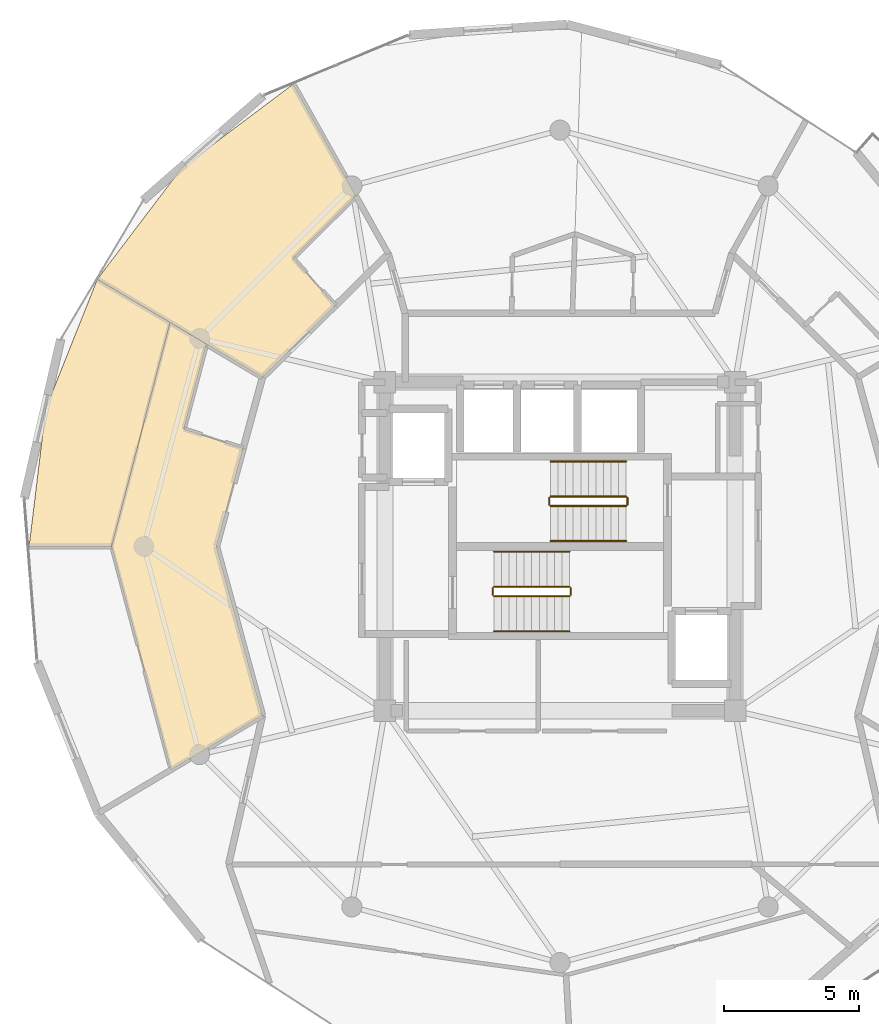
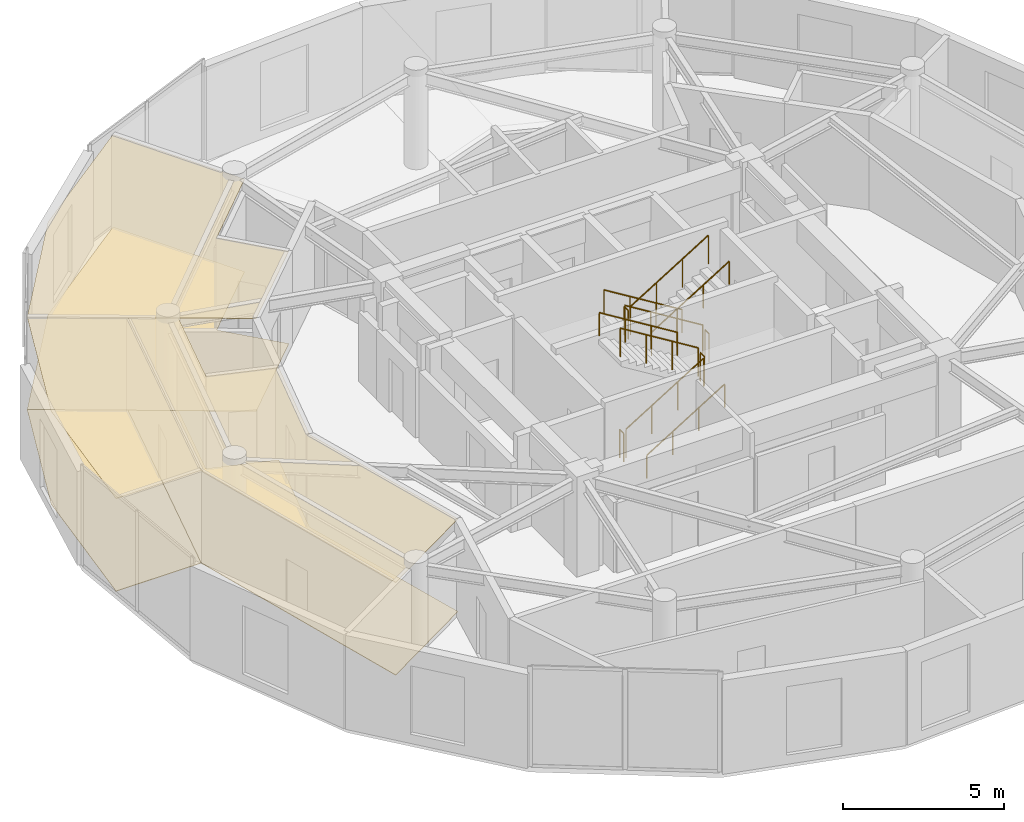
# One storey, part 21 of 22: 12 railings, 6 coverings.
"""IFC4 building model written with IfcOpenShell, lengths in metres."""

from ifc_helpers import new_model, si_unit, direction, frame, origin, origin_2d, place, context, subcontext, project, spatial, polyline, circle, outline, extrude, material, layer, layer_set, type_object, element, save


model = new_model("IFC4")

# Units and contexts
model_context = context("Model", 3, precision=1e-05, world=origin(), true_north=direction((0.0, 1.0)))
body_context = subcontext(model_context, "Body", "Model", "MODEL_VIEW")
ifc_project = project(units=[si_unit("LENGTHUNIT", "METRE"), si_unit("AREAUNIT", "SQUARE_METRE"), si_unit("VOLUMEUNIT", "CUBIC_METRE"), si_unit("PLANEANGLEUNIT", "RADIAN"), si_unit("MASSUNIT", "GRAM", prefix="KILO")], contexts=[model_context])

# Site, building, storey
site_placement = place(None, origin())
site = spatial("IfcSite", under=ifc_project, at=site_placement, CompositionType="ELEMENT")
building_placement = place(site_placement, origin())
building = spatial("IfcBuilding", under=site, at=building_placement, Name="Solvirekh Grand Hotel", CompositionType="ELEMENT")
storey_placement = place(building_placement, frame((0.0, 0.0, 243.0)))
storey = spatial("IfcBuildingStorey", under=building, at=storey_placement, Name="L63", CompositionType="ELEMENT", Elevation=243.0)

# Coverings
ifc_material_1 = material(Name="Acoustic Mineral Ceiling Tile")
ifc_layer_1 = layer(ifc_material_1, 0.02490234375)
ifc_layer_set_1 = layer_set([ifc_layer_1], Name="Acoustic Mineral Ceiling Tile")
covering_type_1 = type_object("IfcCoveringType", Name="Cov_Ceiling_Acoustic", PredefinedType="CEILING", material=ifc_layer_set_1)
covering_1_placement = place(storey_placement, frame((0.0, 0.0, 3.52001953125)))
element("IfcCovering", 1, at=covering_1_placement, inside=storey, type_object=covering_type_1, Name="L63 Deluxe Guestroom 6503 acoustic ceiling", PredefinedType="CEILING", context=body_context, shape_type="SweptSolid", body=[
    extrude(outline(polyline([(-9.906982421875, 10.699951171875), (-7.574951171875, 13.007080078125), (-9.905029296875, 17.156005859375), (-14.0439453125, 14.0439453125), (-17.173095703125, 9.9150390625), (-11.0419921875, 6.27490234375), (-8.3349609375, 8.93994140625), (-9.906982421875, 10.699951171875)])), origin(), (0.0, 0.0, 1.0), 0.01806640625),
])
covering_2_placement = place(storey_placement, frame((0.0, 0.0, 3.52001953125)))
element("IfcCovering", 2, at=covering_2_placement, inside=storey, type_object=covering_type_1, Name="L63 Executive Suite 6504 Living Room acoustic ceiling", PredefinedType="CEILING", context=body_context, shape_type="SweptSolid", body=[
    extrude(outline(polyline([(-13.9609375, 4.35791015625), (-13.126953125, 7.512939453125), (-14.47509765625, 8.31298828125), (-16.64501953125, 0.0), (-14.443115234375, -8.294921875), (-11.0419921875, -6.27490234375), (-12.75, 0.0), (-11.759033203125, 3.639892578125), (-13.9609375, 4.35791015625)])), origin(), (0.0, 0.0, 1.0), 0.01806640625),
])
covering_3_placement = place(storey_placement, frame((0.0, 0.0, 3.52001953125)))
element("IfcCovering", 3, at=covering_3_placement, inside=storey, type_object=covering_type_1, Name="L63 Executive Suite 6504 Master Bedroom acoustic ceiling", PredefinedType="CEILING", context=body_context, shape_type="SweptSolid", body=[
    extrude(outline(polyline([(-17.173095703125, 9.9150390625), (-19.0859375, 5.114013671875), (-19.705078125, 0.0), (-16.64501953125, 0.0), (-14.47509765625, 8.31298828125), (-17.173095703125, 9.9150390625)])), origin(), (0.0, 0.0, 1.0), 0.01806640625),
])
ifc_material_2 = material(Name="Porcelain Stoneware Flooring", Category="masonry")
ifc_layer_2 = layer(ifc_material_2, 0.030029296875)
ifc_layer_set_2 = layer_set([ifc_layer_2], Name="Porcelain Stoneware Flooring")
covering_type_2 = type_object("IfcCoveringType", Name="Cov_Floor_Stone", PredefinedType="FLOORING", material=ifc_layer_set_2)
covering_4_placement = place(storey_placement, origin())
element("IfcCovering", 4, at=covering_4_placement, inside=storey, type_object=covering_type_2, Name="L63 Deluxe Guestroom 6503 polished granite flooring", PredefinedType="FLOORING", context=body_context, shape_type="SweptSolid", body=[
    extrude(outline(polyline([(-9.906982421875, 10.699951171875), (-7.574951171875, 13.007080078125), (-9.905029296875, 17.156005859375), (-14.0439453125, 14.0439453125), (-17.173095703125, 9.9150390625), (-11.0419921875, 6.27490234375), (-8.3349609375, 8.93994140625), (-9.906982421875, 10.699951171875)])), origin(), (0.0, 0.0, 1.0), 0.02001953125),
])
covering_5_placement = place(storey_placement, origin())
element("IfcCovering", 5, at=covering_5_placement, inside=storey, type_object=covering_type_2, Name="L63 Executive Suite 6504 Living Room polished granite flooring", PredefinedType="FLOORING", context=body_context, shape_type="SweptSolid", body=[
    extrude(outline(polyline([(-13.9609375, 4.35791015625), (-13.126953125, 7.512939453125), (-14.47509765625, 8.31298828125), (-16.64501953125, 0.0), (-14.443115234375, -8.294921875), (-11.0419921875, -6.27490234375), (-12.75, 0.0), (-11.759033203125, 3.639892578125), (-13.9609375, 4.35791015625)])), origin(), (0.0, 0.0, 1.0), 0.02001953125),
])
covering_6_placement = place(storey_placement, origin())
element("IfcCovering", 6, at=covering_6_placement, inside=storey, type_object=covering_type_2, Name="L63 Executive Suite 6504 Master Bedroom polished granite flooring", PredefinedType="FLOORING", context=body_context, shape_type="SweptSolid", body=[
    extrude(outline(polyline([(-17.173095703125, 9.9150390625), (-19.0859375, 5.114013671875), (-19.705078125, 0.0), (-16.64501953125, 0.0), (-14.47509765625, 8.31298828125), (-17.173095703125, 9.9150390625)])), origin(), (0.0, 0.0, 1.0), 0.02001953125),
])

# Railings
ifc_material_3 = material(Name="Steel S355", Category="steel")
railing_type_1 = type_object("IfcRailingType", Name="Guard_Stair_1100", PredefinedType="GUARDRAIL", material=ifc_material_3)
railing_1_placement = place(storey_placement, frame((-2.449951171875, -1.85009765625, 0.172607421875)))
element("IfcRailing", 7, at=railing_1_placement, inside=storey, type_object=railing_type_1, Name="L63 ST-1 stair guard 1", PredefinedType="GUARDRAIL", context=body_context, shape_type="SweptSolid", body=[
    extrude(circle(Radius=0.02392578125, at=origin_2d()), frame((0.0, 0.0, 1.076171875), z_axis=(0.851089632645, 0.0, 0.525020415988), x_axis=(0.0, 1.0, 0.0)), (0.0, 0.0, 1.0), 3.2900390625),
    extrude(circle(Radius=0.02099609375, at=origin_2d()), origin(), (0.0, 0.0, 1.0), 1.052001953125),
    extrude(circle(Radius=0.02099609375, at=origin_2d()), frame((0.933349609375, 0.0, 0.57568359375)), (0.0, 0.0, 1.0), 1.052001953125),
    extrude(circle(Radius=0.02099609375, at=origin_2d()), frame((1.86669921875, 0.0, 1.151611328125)), (0.0, 0.0, 1.0), 1.052001953125),
    extrude(circle(Radius=0.02099609375, at=origin_2d()), frame((2.800048828125, 0.0, 1.727294921875)), (0.0, 0.0, 1.0), 1.052001953125),
])
railing_2_placement = place(storey_placement, frame((0.39990234375, -1.800048828125, 1.89990234375)))
element("IfcRailing", 8, at=railing_2_placement, inside=storey, type_object=railing_type_1, Name="L63 ST-1 stair guard 2", PredefinedType="GUARDRAIL", context=body_context, shape_type="SweptSolid", body=[
    extrude(circle(Radius=0.02392578125, at=origin_2d()), frame((0.0, 0.0, 1.076171875), z_axis=(0.0, 1.0, 0.0), x_axis=(-1.0, 0.0, 0.0)), (0.0, 0.0, 1.0), 0.25),
    extrude(circle(Radius=0.02099609375, at=origin_2d()), origin(), (0.0, 0.0, 1.0), 1.052001953125),
    extrude(circle(Radius=0.02099609375, at=origin_2d()), frame((0.0, 0.25, 0.0)), (0.0, 0.0, 1.0), 1.052001953125),
])
railing_3_placement = place(storey_placement, frame((0.35009765625, -1.5, 2.07275390625)))
element("IfcRailing", 9, at=railing_3_placement, inside=storey, type_object=railing_type_1, Name="L63 ST-1 stair guard 3", PredefinedType="GUARDRAIL", context=body_context, shape_type="SweptSolid", body=[
    extrude(circle(Radius=0.02392578125, at=origin_2d()), frame((0.0, 0.0, 1.076171875), z_axis=(-0.851089632645, 0.0, 0.525020415988), x_axis=(0.0, -1.0, 0.0)), (0.0, 0.0, 1.0), 3.2900390625),
    extrude(circle(Radius=0.02099609375, at=origin_2d()), origin(), (0.0, 0.0, 1.0), 1.052001953125),
    extrude(circle(Radius=0.02099609375, at=origin_2d()), frame((-0.933349609375, 0.0, 0.57568359375)), (0.0, 0.0, 1.0), 1.052001953125),
    extrude(circle(Radius=0.02099609375, at=origin_2d()), frame((-1.86669921875, 0.0, 1.151611328125)), (0.0, 0.0, 1.0), 1.052001953125),
    extrude(circle(Radius=0.02099609375, at=origin_2d()), frame((-2.800048828125, 0.0, 1.727294921875)), (0.0, 0.0, 1.0), 1.052001953125),
])
railing_4_placement = place(storey_placement, frame((-2.5, -1.800048828125, 0.0)))
element("IfcRailing", 10, at=railing_4_placement, inside=storey, type_object=railing_type_1, Name="L63 ST-1 stair guard 4", PredefinedType="GUARDRAIL", context=body_context, shape_type="SweptSolid", body=[
    extrude(circle(Radius=0.02392578125, at=origin_2d()), frame((0.0, 0.0, 1.076171875), z_axis=(0.0, 1.0, 0.0), x_axis=(-1.0, 0.0, 0.0)), (0.0, 0.0, 1.0), 0.25),
    extrude(circle(Radius=0.02099609375, at=origin_2d()), origin(), (0.0, 0.0, 1.0), 1.052001953125),
    extrude(circle(Radius=0.02099609375, at=origin_2d()), frame((0.0, 0.25, 0.0)), (0.0, 0.0, 1.0), 1.052001953125),
])
railing_5_placement = place(storey_placement, frame((2.449951171875, 1.85009765625, 0.172607421875)))
element("IfcRailing", 11, at=railing_5_placement, inside=storey, type_object=railing_type_1, Name="L63 ST-2 stair guard 1", PredefinedType="GUARDRAIL", context=body_context, shape_type="SweptSolid", body=[
    extrude(circle(Radius=0.02392578125, at=origin_2d()), frame((0.0, 0.0, 1.076171875), z_axis=(-0.851089632645, 0.0, 0.525020415988), x_axis=(0.0, -1.0, 0.0)), (0.0, 0.0, 1.0), 3.2900390625),
    extrude(circle(Radius=0.02099609375, at=origin_2d()), origin(), (0.0, 0.0, 1.0), 1.052001953125),
    extrude(circle(Radius=0.02099609375, at=origin_2d()), frame((-0.933349609375, 0.0, 0.57568359375)), (0.0, 0.0, 1.0), 1.052001953125),
    extrude(circle(Radius=0.02099609375, at=origin_2d()), frame((-1.86669921875, 0.0, 1.151611328125)), (0.0, 0.0, 1.0), 1.052001953125),
    extrude(circle(Radius=0.02099609375, at=origin_2d()), frame((-2.800048828125, 0.0, 1.727294921875)), (0.0, 0.0, 1.0), 1.052001953125),
])
railing_6_placement = place(storey_placement, frame((-0.39990234375, 1.800048828125, 1.89990234375)))
element("IfcRailing", 12, at=railing_6_placement, inside=storey, type_object=railing_type_1, Name="L63 ST-2 stair guard 2", PredefinedType="GUARDRAIL", context=body_context, shape_type="SweptSolid", body=[
    extrude(circle(Radius=0.02392578125, at=origin_2d()), frame((0.0, 0.0, 1.076171875), z_axis=(0.0, -1.0, 0.0), x_axis=(1.0, 0.0, 0.0)), (0.0, 0.0, 1.0), 0.25),
    extrude(circle(Radius=0.02099609375, at=origin_2d()), origin(), (0.0, 0.0, 1.0), 1.052001953125),
    extrude(circle(Radius=0.02099609375, at=origin_2d()), frame((0.0, -0.25, 0.0)), (0.0, 0.0, 1.0), 1.052001953125),
])
railing_7_placement = place(storey_placement, frame((-0.35009765625, 1.5, 2.07275390625)))
element("IfcRailing", 13, at=railing_7_placement, inside=storey, type_object=railing_type_1, Name="L63 ST-2 stair guard 3", PredefinedType="GUARDRAIL", context=body_context, shape_type="SweptSolid", body=[
    extrude(circle(Radius=0.02392578125, at=origin_2d()), frame((0.0, 0.0, 1.076171875), z_axis=(0.851089632645, 0.0, 0.525020415988), x_axis=(0.0, 1.0, 0.0)), (0.0, 0.0, 1.0), 3.2900390625),
    extrude(circle(Radius=0.02099609375, at=origin_2d()), origin(), (0.0, 0.0, 1.0), 1.052001953125),
    extrude(circle(Radius=0.02099609375, at=origin_2d()), frame((0.933349609375, 0.0, 0.57568359375)), (0.0, 0.0, 1.0), 1.052001953125),
    extrude(circle(Radius=0.02099609375, at=origin_2d()), frame((1.86669921875, 0.0, 1.151611328125)), (0.0, 0.0, 1.0), 1.052001953125),
    extrude(circle(Radius=0.02099609375, at=origin_2d()), frame((2.800048828125, 0.0, 1.727294921875)), (0.0, 0.0, 1.0), 1.052001953125),
])
railing_8_placement = place(storey_placement, frame((2.5, 1.800048828125, 0.0)))
element("IfcRailing", 14, at=railing_8_placement, inside=storey, type_object=railing_type_1, Name="L63 ST-2 stair guard 4", PredefinedType="GUARDRAIL", context=body_context, shape_type="SweptSolid", body=[
    extrude(circle(Radius=0.02392578125, at=origin_2d()), frame((0.0, 0.0, 1.076171875), z_axis=(0.0, -1.0, 0.0), x_axis=(1.0, 0.0, 0.0)), (0.0, 0.0, 1.0), 0.25),
    extrude(circle(Radius=0.02099609375, at=origin_2d()), origin(), (0.0, 0.0, 1.0), 1.052001953125),
    extrude(circle(Radius=0.02099609375, at=origin_2d()), frame((0.0, -0.25, 0.0)), (0.0, 0.0, 1.0), 1.052001953125),
])
ifc_material_4 = material(Name="Anodized Bronze Aluminium 6063-T6", Category="aluminium")
railing_type_2 = type_object("IfcRailingType", Name="Handrail_Wall_900", PredefinedType="HANDRAIL", material=ifc_material_4)
railing_9_placement = place(storey_placement, frame((-2.449951171875, -3.14990234375, 0.172607421875)))
element("IfcRailing", 15, at=railing_9_placement, inside=storey, type_object=railing_type_2, Name="L63 ST-1 stair handrail 1", PredefinedType="HANDRAIL", context=body_context, shape_type="SweptSolid", body=[
    extrude(circle(Radius=0.02392578125, at=origin_2d()), frame((0.0, 0.0, 0.8759765625), z_axis=(0.851089632645, 0.0, 0.525020415988), x_axis=(0.0, 1.0, 0.0)), (0.0, 0.0, 1.0), 3.2900390625),
    extrude(circle(Radius=0.02099609375, at=origin_2d()), origin(), (0.0, 0.0, 1.0), 0.851806640625),
    extrude(circle(Radius=0.02099609375, at=origin_2d()), frame((0.933349609375, 0.0, 0.57568359375)), (0.0, 0.0, 1.0), 0.851806640625),
    extrude(circle(Radius=0.02099609375, at=origin_2d()), frame((1.86669921875, 0.0, 1.151611328125)), (0.0, 0.0, 1.0), 0.851806640625),
    extrude(circle(Radius=0.02099609375, at=origin_2d()), frame((2.800048828125, 0.0, 1.727294921875)), (0.0, 0.0, 1.0), 0.851806640625),
])
for number, where, name in (
    (16, (0.35009765625, -0.199951171875, 2.07275390625), "L63 ST-1 stair handrail 2"),
    (17, (2.449951171875, 3.14990234375, 0.172607421875), "L63 ST-2 stair handrail 1"),
):
    element("IfcRailing", number, at=place(storey_placement, frame(where)), inside=storey, type_object=railing_type_2, Name=name, PredefinedType="HANDRAIL", context=body_context, shape_type="SweptSolid", body=[
        extrude(circle(Radius=0.02392578125, at=origin_2d()), frame((0.0, 0.0, 0.8759765625), z_axis=(-0.851089632645, 0.0, 0.525020415988), x_axis=(0.0, -1.0, 0.0)), (0.0, 0.0, 1.0), 3.2900390625),
        extrude(circle(Radius=0.02099609375, at=origin_2d()), origin(), (0.0, 0.0, 1.0), 0.851806640625),
        extrude(circle(Radius=0.02099609375, at=origin_2d()), frame((-0.933349609375, 0.0, 0.57568359375)), (0.0, 0.0, 1.0), 0.851806640625),
        extrude(circle(Radius=0.02099609375, at=origin_2d()), frame((-1.86669921875, 0.0, 1.151611328125)), (0.0, 0.0, 1.0), 0.851806640625),
        extrude(circle(Radius=0.02099609375, at=origin_2d()), frame((-2.800048828125, 0.0, 1.727294921875)), (0.0, 0.0, 1.0), 0.851806640625),
    ])
railing_10_placement = place(storey_placement, frame((-0.35009765625, 0.199951171875, 2.07275390625)))
element("IfcRailing", 18, at=railing_10_placement, inside=storey, type_object=railing_type_2, Name="L63 ST-2 stair handrail 2", PredefinedType="HANDRAIL", context=body_context, shape_type="SweptSolid", body=[
    extrude(circle(Radius=0.02392578125, at=origin_2d()), frame((0.0, 0.0, 0.8759765625), z_axis=(0.851089632645, 0.0, 0.525020415988), x_axis=(0.0, 1.0, 0.0)), (0.0, 0.0, 1.0), 3.2900390625),
    extrude(circle(Radius=0.02099609375, at=origin_2d()), origin(), (0.0, 0.0, 1.0), 0.851806640625),
    extrude(circle(Radius=0.02099609375, at=origin_2d()), frame((0.933349609375, 0.0, 0.57568359375)), (0.0, 0.0, 1.0), 0.851806640625),
    extrude(circle(Radius=0.02099609375, at=origin_2d()), frame((1.86669921875, 0.0, 1.151611328125)), (0.0, 0.0, 1.0), 0.851806640625),
    extrude(circle(Radius=0.02099609375, at=origin_2d()), frame((2.800048828125, 0.0, 1.727294921875)), (0.0, 0.0, 1.0), 0.851806640625),
])

save(model, "model.ifc")
